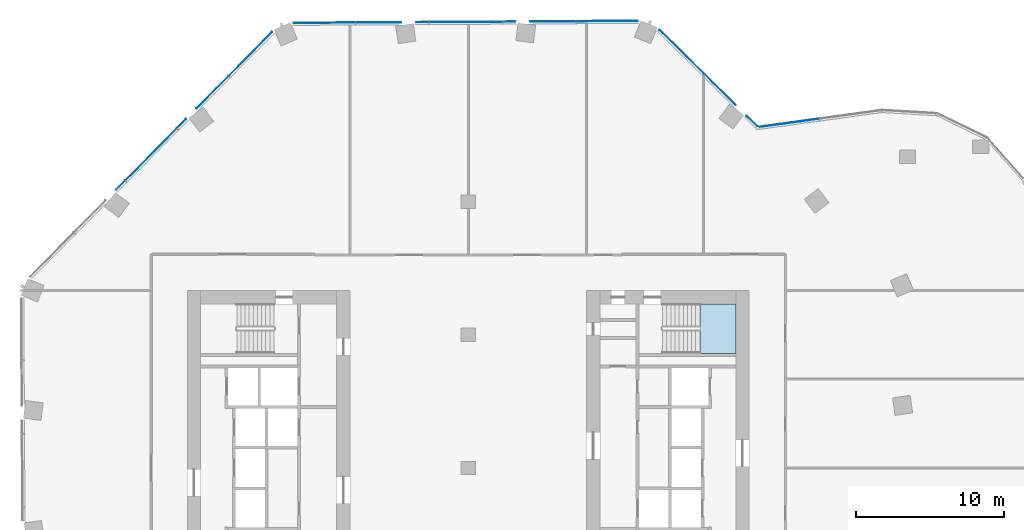
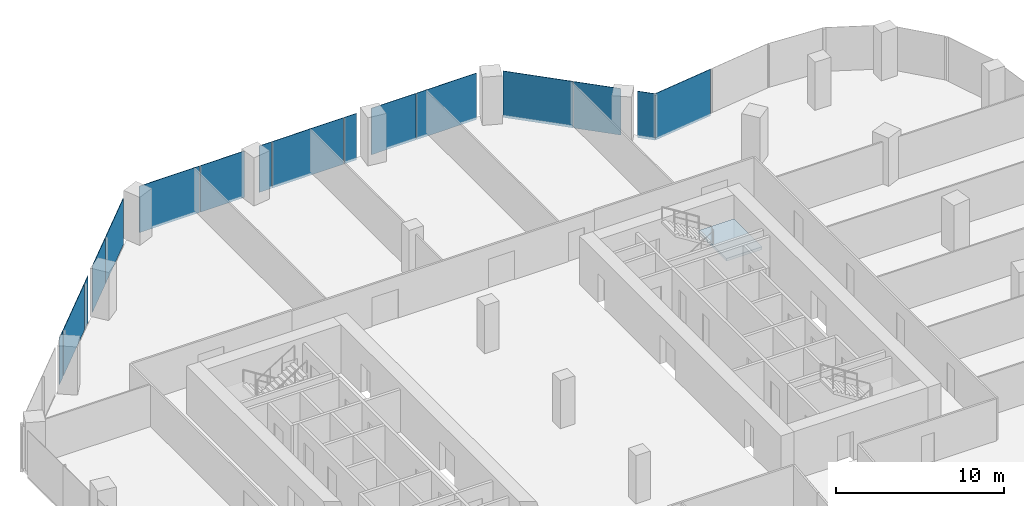
# One storey, part 17 of 27: 16 plates, 1 slab, 5 elements without a shape of their own.
"""IFC4 building model written with IfcOpenShell, lengths in metres."""

import ifcopenshell
import ifcopenshell.guid

model = None  # the IFC model being written
_history = None  # IfcOwnerHistory: only IFC2X3 demands one
_inside = {}  # id of a spatial element -> (the spatial element, [elements in it])
_under = {}  # id of a project, library or spatial element -> (it, [spatial elements below it])
_declared = {}  # id of a project -> (the project, [libraries it declares])
_typed = {}  # id of a type object -> (the type object, [elements of that type])
_made_of = {}  # id of a material, layer set ... -> (it, [elements and type objects made of it])


def new_model(schema):
    """Start an empty IFC model of exactly this schema.

    Asked for "IFC4X3", IfcOpenShell would pick the latest addendum, in which some entities
    have other attributes; the version numbers below select the first issue.
    IFC2X3 requires an IfcOwnerHistory on every rooted entity: one is made here for all.
    """
    global model, _history
    if schema == "IFC4X3":
        model = ifcopenshell.file(schema_version=(4, 3, 0, 0))
    else:
        model = ifcopenshell.file(schema=schema)
    _inside.clear()
    _under.clear()
    _declared.clear()
    _typed.clear()
    _made_of.clear()
    _history = None
    if model.schema == "IFC2X3":
        org = make("IfcOrganization", Name="unknown")
        user = make(
            "IfcPersonAndOrganization",
            ThePerson=make("IfcPerson", FamilyName="unknown"),
            TheOrganization=org,
        )
        app = make(
            "IfcApplication",
            ApplicationDeveloper=org,
            Version="unknown",
            ApplicationFullName="unknown",
            ApplicationIdentifier="unknown",
        )
        _history = make(
            "IfcOwnerHistory",
            OwningUser=user,
            OwningApplication=app,
            ChangeAction="ADDED",
            CreationDate=0,
        )
    return model


def make(cls, **values):
    """One entity of the class cls with the attributes given. An attribute that is None is left unset."""
    return model.create_entity(
        cls, **{name: value for name, value in values.items() if value is not None}
    )


def rooted(cls, **values):
    """An entity with a GlobalId (a new one), such as an element, a storey or a relation."""
    return make(cls, GlobalId=ifcopenshell.guid.new(), OwnerHistory=_history, **values)


def si_unit(unit_type, name, prefix=None):
    """IfcSIUnit, for example si_unit("LENGTHUNIT", "METRE", prefix="MILLI")."""
    return make("IfcSIUnit", UnitType=unit_type, Prefix=prefix, Name=name)


def assignment(units):
    """IfcUnitAssignment: the units of a project."""
    return None if units is None else make("IfcUnitAssignment", Units=units)


def point(xyz):
    """IfcCartesianPoint."""
    return None if xyz is None else make("IfcCartesianPoint", Coordinates=xyz)


def direction(xyz):
    """IfcDirection."""
    return None if xyz is None else make("IfcDirection", DirectionRatios=xyz)


def frame(location, z_axis=None, x_axis=None):
    """IfcAxis2Placement3D, a coordinate frame: its origin and axes. An axis left out is left unset."""
    return make(
        "IfcAxis2Placement3D",
        Location=point(location),
        Axis=direction(z_axis),
        RefDirection=direction(x_axis),
    )


def frame_2d(location, x_axis=None):
    """IfcAxis2Placement2D, a coordinate frame in the plane: its origin and x axis."""
    return make(
        "IfcAxis2Placement2D", Location=point(location), RefDirection=direction(x_axis)
    )


def origin():
    """The frame at (0, 0, 0) with its axes left unset."""
    return frame((0.0, 0.0, 0.0))


def origin_2d():
    """The frame at (0, 0) in the plane with its x axis left unset."""
    return frame_2d((0.0, 0.0))


def place(relative_to, where):
    """IfcLocalPlacement: puts the frame where relative to a parent placement (None: the world)."""
    return make(
        "IfcLocalPlacement", PlacementRelTo=relative_to, RelativePlacement=where
    )


def context(
    kind, dimensions, precision=None, world=None, true_north=None, identifier=None
):
    """IfcGeometricRepresentationContext, for example the 3D "Model" context."""
    return make(
        "IfcGeometricRepresentationContext",
        ContextIdentifier=identifier,
        ContextType=kind,
        CoordinateSpaceDimension=dimensions,
        Precision=precision,
        WorldCoordinateSystem=world,
        TrueNorth=true_north,
    )


def subcontext(parent, identifier, kind, view, scale=None):
    """IfcGeometricRepresentationSubContext, for example "Body" below "Model"."""
    return make(
        "IfcGeometricRepresentationSubContext",
        ContextIdentifier=identifier,
        ContextType=kind,
        ParentContext=parent,
        TargetScale=scale,
        TargetView=view,
    )


def project(units=None, contexts=None):
    """IfcProject with its units and contexts."""
    return rooted(
        "IfcProject",
        Name="project",
        RepresentationContexts=contexts,
        UnitsInContext=assignment(units),
    )


def spatial(cls, under=None, at=None, **own):
    """A site, building, storey or space (cls), placed at a placement, below another one or the project."""
    s = rooted(cls, ObjectPlacement=at, **own)
    if under is not None:
        _under.setdefault(under.id(), (under, []))[1].append(s)
    return s


def polyline(points):
    """IfcPolyline through the points."""
    return make("IfcPolyline", Points=[point(p) for p in points])


def profile(cls, at=None, kind="AREA", **sizes):
    """A parametric profile (cls). Its sizes go by their IFC names, for example OverallWidth=200.0."""
    return make(cls, ProfileType=kind, Position=at, **sizes)


def rectangle(**sizes):
    """IfcRectangleProfileDef."""
    return profile("IfcRectangleProfileDef", **sizes)


def outline(outer, holes=None, kind="AREA"):
    """IfcArbitraryClosedProfileDef: a profile drawn as a closed curve; with holes, ...WithVoids."""
    if holes is None:
        return make("IfcArbitraryClosedProfileDef", ProfileType=kind, OuterCurve=outer)
    return make(
        "IfcArbitraryProfileDefWithVoids",
        ProfileType=kind,
        OuterCurve=outer,
        InnerCurves=holes,
    )


def extrude(swept, where, along, depth):
    """IfcExtrudedAreaSolid: the profile swept, set in the frame where, extruded along a direction by depth."""
    return make(
        "IfcExtrudedAreaSolid",
        SweptArea=swept,
        Position=where,
        ExtrudedDirection=direction(along),
        Depth=depth,
    )


def shape(context_of_items, identifier, shape_type, items):
    """IfcShapeRepresentation: the items that make up one representation, for example the "Body"."""
    return make(
        "IfcShapeRepresentation",
        ContextOfItems=context_of_items,
        RepresentationIdentifier=identifier,
        RepresentationType=shape_type,
        Items=items,
    )


def material(Name=None, Category=None):
    """IfcMaterial."""
    return make("IfcMaterial", Name=Name, Category=Category)


def layer(
    of_material, thickness, ventilated=None, Name=None, Category=None, Priority=None
):
    """IfcMaterialLayer: one layer of a wall or slab, of a material (None: an air gap)."""
    return make(
        "IfcMaterialLayer",
        Material=of_material,
        LayerThickness=thickness,
        IsVentilated=ventilated,
        Name=Name,
        Category=Category,
        Priority=Priority,
    )


def layer_set(layers, Name=None):
    """IfcMaterialLayerSet."""
    return make("IfcMaterialLayerSet", MaterialLayers=layers, LayerSetName=Name)


def made_of(thing, what):
    """Note that an element or type object is made of a material, layer set ...; save() writes the relation."""
    if what is not None:
        _made_of.setdefault(what.id(), (what, []))[1].append(thing)
    return thing


def type_object(cls, material=None, **own):
    """A type object (cls), such as IfcWallType, which elements share."""
    return made_of(rooted(cls, **own), material)


def element(
    cls,
    number,
    at=None,
    inside=None,
    cuts=None,
    type_object=None,
    material=None,
    context=None,
    identifier="Body",
    shape_type=None,
    held_by="IfcProductDefinitionShape",
    body=None,
    shapes=None,
    **own,
):
    """One element of the class cls, such as IfcWall. Its Tag is "e" and its number.

    at: its placement. inside: the storey or other place that contains it. cuts: it is an
    opening in that element (IfcRelVoidsElement). A single representation is given by context,
    identifier, shape_type and body (its items); several are given by shapes. held_by: the class
    of the entity that holds the representations. save() writes the other relations.
    """
    e = rooted(cls, Tag="e%d" % number, ObjectPlacement=at, **own)
    if body is not None:
        shapes = [shape(context, identifier, shape_type, body)]
    if shapes is not None:
        e.Representation = make(held_by, Representations=shapes)
    if inside is not None:
        _inside.setdefault(inside.id(), (inside, []))[1].append(e)
    if cuts is not None:
        rooted(
            "IfcRelVoidsElement", RelatingBuildingElement=cuts, RelatedOpeningElement=e
        )
    if type_object is not None:
        _typed.setdefault(type_object.id(), (type_object, []))[1].append(e)
    return made_of(e, material)


def aggregate(whole, parts):
    """IfcRelAggregates: a whole, such as a stair, and the parts it consists of."""
    return rooted("IfcRelAggregates", RelatingObject=whole, RelatedObjects=parts)


def save(model, path):
    """Write the relations noted so far, then the file.

    IfcRelAggregates (storeys below a building ...), IfcRelContainedInSpatialStructure (elements
    in a storey), IfcRelDefinesByType, IfcRelAssociatesMaterial and IfcRelDeclares: one each for
    every whole, place, type object, material and project.
    """
    for whole, parts in _under.values():
        aggregate(whole, parts)
    for where, things in _inside.values():
        rooted(
            "IfcRelContainedInSpatialStructure",
            RelatedElements=things,
            RelatingStructure=where,
        )
    for kind, things in _typed.values():
        rooted("IfcRelDefinesByType", RelatedObjects=things, RelatingType=kind)
    for what, things in _made_of.values():
        rooted("IfcRelAssociatesMaterial", RelatedObjects=things, RelatingMaterial=what)
    for by, libraries in _declared.values():
        rooted("IfcRelDeclares", RelatingContext=by, RelatedDefinitions=libraries)
    model.write(path)


model = new_model("IFC4")

# Units and contexts
model_context = context("Model", 3, precision=1e-05, world=origin(), true_north=direction((0.0, 1.0)))
body_context = subcontext(model_context, "Body", "Model", "MODEL_VIEW")
ifc_project = project(units=[si_unit("LENGTHUNIT", "METRE"), si_unit("AREAUNIT", "SQUARE_METRE"), si_unit("VOLUMEUNIT", "CUBIC_METRE"), si_unit("PLANEANGLEUNIT", "RADIAN"), si_unit("MASSUNIT", "GRAM", prefix="KILO")], contexts=[model_context])

# Site, building, storey
site_placement = place(None, origin())
site = spatial("IfcSite", under=ifc_project, at=site_placement, CompositionType="ELEMENT")
building_placement = place(site_placement, origin())
building = spatial("IfcBuilding", under=site, at=building_placement, Name="Orlundy Tower", CompositionType="ELEMENT")
storey_placement = place(building_placement, frame((0.0, 0.0, 192.10009765625)))
storey = spatial("IfcBuildingStorey", under=building, at=storey_placement, Name="L50", CompositionType="ELEMENT", Elevation=192.10009765625)

# Curtain wall, plates
ifc_material_1 = material(Name="Aluminium bronze anodised", Category="aluminium")
curtain_wall_type = type_object("IfcCurtainWallType", Name="CW1 wall", PredefinedType="NOTDEFINED", material=ifc_material_1)
curtain_wall_1_placement = place(storey_placement, origin())
curtain_wall_1 = element("IfcCurtainWall", 1, at=curtain_wall_1_placement, inside=storey, type_object=curtain_wall_type, Name="CW1 run 03", PredefinedType="NOTDEFINED")
ifc_material_2 = material(Name="Tinted glass", Category="glass")
ifc_layer_1 = layer(ifc_material_2, 0.031982421875)
ifc_layer_set_1 = layer_set([ifc_layer_1], Name="CW1 glass panel 32")
plate_type = type_object("IfcPlateType", Name="CW1 glass panel 32", PredefinedType="CURTAIN_PANEL", material=ifc_layer_set_1)
plate_1_placement = place(storey_placement, frame((-23.515380859375, 19.118408203125, -0.300048828125), z_axis=(0.0, 0.0, 1.0), x_axis=(0.702990637629, 0.711199102506, 0.0)))
plate_1 = element("IfcPlate", 2, at=plate_1_placement, type_object=plate_type, Name="CW1 panel", PredefinedType="CURTAIN_PANEL", context=body_context, shape_type="SweptSolid", body=[
    extrude(rectangle(XDim=0.846435546875, YDim=0.031982421875, at=origin_2d()), origin(), (0.0, 0.0, 1.0), 3.3798828125),
])
plate_2_placement = place(storey_placement, frame((-21.453125, 21.204833984375, -0.300048828125), z_axis=(0.0, 0.0, 1.0), x_axis=(0.702990637629, 0.711199102506, 0.0)))
plate_2 = element("IfcPlate", 3, at=plate_2_placement, type_object=plate_type, Name="CW1 panel", PredefinedType="CURTAIN_PANEL", context=body_context, shape_type="SweptSolid", body=[
    extrude(rectangle(XDim=4.92041015625, YDim=0.031982421875, at=origin_2d()), origin(), (0.0, 0.0, 1.0), 3.3798828125),
])
plate_3_placement = place(storey_placement, frame((-19.390625, 23.291259765625, -0.300048828125), z_axis=(0.0, 0.0, 1.0), x_axis=(0.702990637629, 0.711199102506, 0.0)))
plate_3 = element("IfcPlate", 4, at=plate_3_placement, type_object=plate_type, Name="CW1 panel", PredefinedType="CURTAIN_PANEL", context=body_context, shape_type="SweptSolid", body=[
    extrude(rectangle(XDim=0.84716796875, YDim=0.031982421875, at=origin_2d()), origin(), (0.0, 0.0, 1.0), 3.3798828125),
])
plate_4_placement = place(storey_placement, frame((-17.302978515625, 25.4033203125, -0.300048828125), z_axis=(0.0, 0.0, 1.0), x_axis=(0.702990637629, 0.711199102506, 0.0)))
plate_4 = element("IfcPlate", 5, at=plate_4_placement, type_object=plate_type, Name="CW1 panel", PredefinedType="CURTAIN_PANEL", context=body_context, shape_type="SweptSolid", body=[
    extrude(rectangle(XDim=3.054443359375, YDim=0.031982421875, at=origin_2d()), origin(), (0.0, 0.0, 1.0), 3.3798828125),
])
plate_5_placement = place(storey_placement, frame((-14.736328125, 28.0, -0.300048828125), z_axis=(0.0, 0.0, 1.0), x_axis=(0.702990637629, 0.711199102506, 0.0)))
plate_5 = element("IfcPlate", 6, at=plate_5_placement, type_object=plate_type, Name="CW1 panel", PredefinedType="CURTAIN_PANEL", context=body_context, shape_type="SweptSolid", body=[
    extrude(rectangle(XDim=4.147705078125, YDim=0.031982421875, at=origin_2d()), origin(), (0.0, 0.0, 1.0), 3.3798828125),
])
aggregate(curtain_wall_1, [plate_1, plate_2, plate_3, plate_4, plate_5])

curtain_wall_2_placement = place(storey_placement, origin())
curtain_wall_2 = element("IfcCurtainWall", 7, at=curtain_wall_2_placement, inside=storey, type_object=curtain_wall_type, Name="CW1 run 04", PredefinedType="NOTDEFINED")
plate_6_placement = place(storey_placement, frame((-9.72998046875, 30.107666015625, -0.300048828125), z_axis=(0.0, 0.0, 1.0), x_axis=(0.999982980873, 0.005834206419, 0.0)))
plate_6 = element("IfcPlate", 8, at=plate_6_placement, type_object=plate_type, Name="CW1 panel", PredefinedType="CURTAIN_PANEL", context=body_context, shape_type="SweptSolid", body=[
    extrude(rectangle(XDim=4.1474609375, YDim=0.031982421875, at=origin_2d()), origin(), (0.0, 0.0, 1.0), 3.3798828125),
])
plate_7_placement = place(storey_placement, frame((-6.078857421875, 30.129150390625, -0.300048828125), z_axis=(0.0, 0.0, 1.0), x_axis=(0.999982980873, 0.005834206419, 0.0)))
plate_7 = element("IfcPlate", 9, at=plate_7_placement, type_object=plate_type, Name="CW1 panel", PredefinedType="CURTAIN_PANEL", context=body_context, shape_type="SweptSolid", body=[
    extrude(rectangle(XDim=3.054931640625, YDim=0.031982421875, at=origin_2d()), origin(), (0.0, 0.0, 1.0), 3.3798828125),
])
plate_8_placement = place(storey_placement, frame((-3.109130859375, 30.146484375, -0.300048828125), z_axis=(0.0, 0.0, 1.0), x_axis=(0.999982980873, 0.005834206419, 0.0)))
plate_8 = element("IfcPlate", 10, at=plate_8_placement, type_object=plate_type, Name="CW1 panel", PredefinedType="CURTAIN_PANEL", context=body_context, shape_type="SweptSolid", body=[
    extrude(rectangle(XDim=0.8466796875, YDim=0.031982421875, at=origin_2d()), origin(), (0.0, 0.0, 1.0), 3.3798828125),
])
plate_9_placement = place(storey_placement, frame((-0.175537109375, 30.16357421875, -0.300048828125), z_axis=(0.0, 0.0, 1.0), x_axis=(0.999982980873, 0.005834206419, 0.0)))
plate_9 = element("IfcPlate", 11, at=plate_9_placement, type_object=plate_type, Name="CW1 panel", PredefinedType="CURTAIN_PANEL", context=body_context, shape_type="SweptSolid", body=[
    extrude(rectangle(XDim=4.920654296875, YDim=0.031982421875, at=origin_2d()), origin(), (0.0, 0.0, 1.0), 3.3798828125),
])
plate_10_placement = place(storey_placement, frame((2.758056640625, 30.1806640625, -0.300048828125), z_axis=(0.0, 0.0, 1.0), x_axis=(0.999982980873, 0.005834206419, 0.0)))
plate_10 = element("IfcPlate", 12, at=plate_10_placement, type_object=plate_type, Name="CW1 panel", PredefinedType="CURTAIN_PANEL", context=body_context, shape_type="SweptSolid", body=[
    extrude(rectangle(XDim=0.8466796875, YDim=0.031982421875, at=origin_2d()), origin(), (0.0, 0.0, 1.0), 3.3798828125),
])
plate_11_placement = place(storey_placement, frame((5.7265625, 30.197998046875, -0.300048828125), z_axis=(0.0, 0.0, 1.0), x_axis=(0.999982980873, 0.005834206419, 0.0)))
plate_11 = element("IfcPlate", 13, at=plate_11_placement, type_object=plate_type, Name="CW1 panel", PredefinedType="CURTAIN_PANEL", context=body_context, shape_type="SweptSolid", body=[
    extrude(rectangle(XDim=3.0576171875, YDim=0.031982421875, at=origin_2d()), origin(), (0.0, 0.0, 1.0), 3.3798828125),
])
plate_12_placement = place(storey_placement, frame((9.37939453125, 30.21923828125, -0.300048828125), z_axis=(0.0, 0.0, 1.0), x_axis=(0.999982980873, 0.005834206419, 0.0)))
plate_12 = element("IfcPlate", 14, at=plate_12_placement, type_object=plate_type, Name="CW1 panel", PredefinedType="CURTAIN_PANEL", context=body_context, shape_type="SweptSolid", body=[
    extrude(rectangle(XDim=4.14794921875, YDim=0.031982421875, at=origin_2d()), origin(), (0.0, 0.0, 1.0), 3.3798828125),
])
aggregate(curtain_wall_2, [plate_6, plate_7, plate_8, plate_9, plate_10, plate_11, plate_12])

curtain_wall_3_placement = place(storey_placement, origin())
curtain_wall_3 = element("IfcCurtainWall", 15, at=curtain_wall_3_placement, inside=storey, type_object=curtain_wall_type, Name="CW1 run 05", PredefinedType="NOTDEFINED")
plate_13_placement = place(storey_placement, frame((14.462158203125, 28.117919921875, -0.300048828125), z_axis=(0.0, 0.0, 1.0), x_axis=(0.711197941896, -0.702991811789, 0.0)))
plate_13 = element("IfcPlate", 16, at=plate_13_placement, type_object=plate_type, Name="CW1 panel", PredefinedType="CURTAIN_PANEL", context=body_context, shape_type="SweptSolid", body=[
    extrude(rectangle(XDim=4.294921875, YDim=0.031982421875, at=origin_2d()), origin(), (0.0, 0.0, 1.0), 3.3798828125),
])
plate_14_placement = place(storey_placement, frame((17.0595703125, 25.550537109375, -0.300048828125), z_axis=(0.0, 0.0, 1.0), x_axis=(0.711197941896, -0.702991811789, 0.0)))
plate_14 = element("IfcPlate", 17, at=plate_14_placement, type_object=plate_type, Name="CW1 panel", PredefinedType="CURTAIN_PANEL", context=body_context, shape_type="SweptSolid", body=[
    extrude(rectangle(XDim=2.909423828125, YDim=0.031982421875, at=origin_2d()), origin(), (0.0, 0.0, 1.0), 3.3798828125),
])
plate_15_placement = place(storey_placement, frame((19.20361328125, 23.43115234375, -0.300048828125), z_axis=(0.0, 0.0, 1.0), x_axis=(0.711197941896, -0.702991811789, 0.0)))
plate_15 = element("IfcPlate", 18, at=plate_15_placement, type_object=plate_type, Name="CW1 panel", PredefinedType="CURTAIN_PANEL", context=body_context, shape_type="SweptSolid", body=[
    extrude(rectangle(XDim=1.0859375, YDim=0.031982421875, at=origin_2d()), origin(), (0.0, 0.0, 1.0), 3.3798828125),
])
aggregate(curtain_wall_3, [plate_13, plate_14, plate_15])

# Curtain wall, plate
curtain_wall_4_placement = place(storey_placement, origin())
curtain_wall_4 = element("IfcCurtainWall", 19, at=curtain_wall_4_placement, inside=storey, type_object=curtain_wall_type, Name="CW1 run 06", PredefinedType="NOTDEFINED")
plate_16_placement = place(storey_placement, frame((21.650634765625, 23.332763671875, -0.300048828125), z_axis=(0.0, 0.0, 1.0), x_axis=(0.990683386349, 0.136185270904, 0.0)))
plate_16 = element("IfcPlate", 20, at=plate_16_placement, type_object=plate_type, Name="CW1 panel", PredefinedType="CURTAIN_PANEL", context=body_context, shape_type="SweptSolid", body=[
    extrude(rectangle(XDim=4.160400390625, YDim=0.031982421875, at=origin_2d()), origin(), (0.0, 0.0, 1.0), 3.3798828125),
])
aggregate(curtain_wall_4, [plate_16])

# Stair, slab
ifc_material_3 = material(Name="Concrete C50/60", Category="concrete")
stair_type = type_object("IfcStairType", Name="Exit Stair 20 risers", PredefinedType="HALF_TURN_STAIR", material=ifc_material_3)
stair_placement = place(storey_placement, origin())
stair = element("IfcStair", 21, at=stair_placement, inside=storey, type_object=stair_type, Name="L50 Exit Stair ST-E2", PredefinedType="HALF_TURN_STAIR")
ifc_material_4 = material(Name="Concrete C50/60", Category="concrete")
ifc_layer_2 = layer(ifc_material_4, 0.199951171875)
ifc_layer_set_2 = layer_set([ifc_layer_2], Name="Exit Stair Landing")
slab_type = type_object("IfcSlabType", Name="Exit Stair Landing", PredefinedType="LANDING", material=ifc_layer_set_2)
slab_placement = place(storey_placement, frame((0.0, 0.0, 1.5498046875)))
slab = element("IfcSlab", 22, at=slab_placement, type_object=slab_type, Name="ST-E2 landing 1", PredefinedType="LANDING", context=body_context, shape_type="SweptSolid", body=[
    extrude(outline(polyline([(15.659912109375, 7.75), (18.10009765625, 7.75), (18.10009765625, 11.10009765625), (15.659912109375, 11.10009765625), (15.659912109375, 7.75)])), origin(), (0.0, 0.0, 1.0), 0.2001953125),
])
aggregate(stair, [slab])

save(model, "model.ifc")
